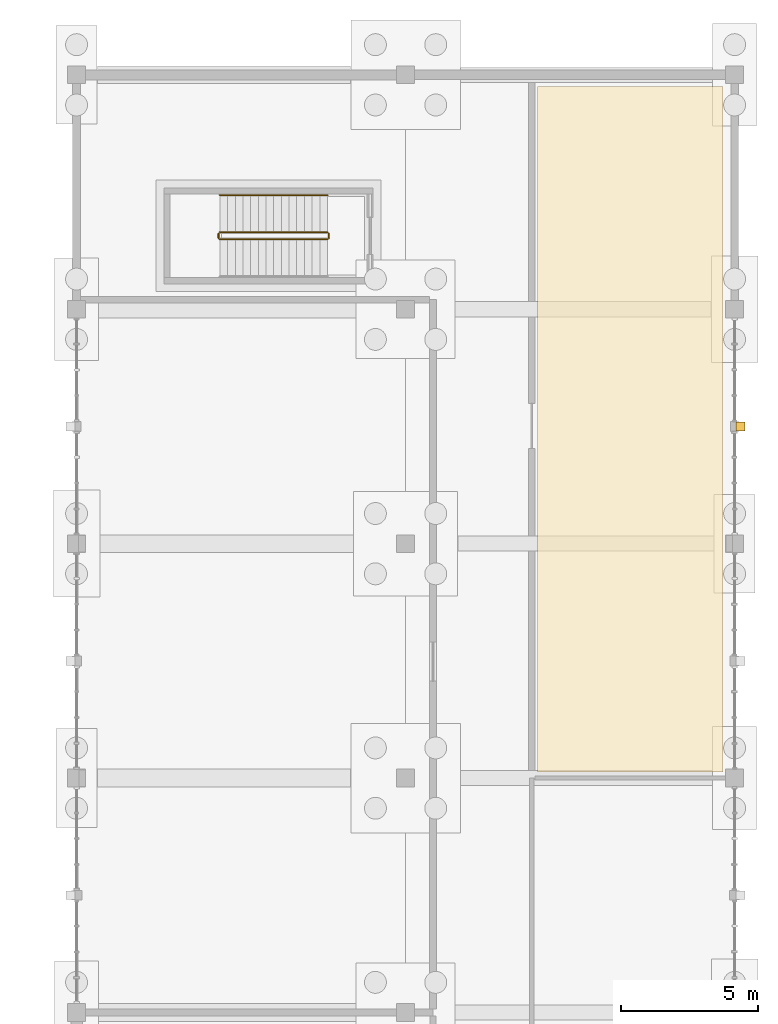
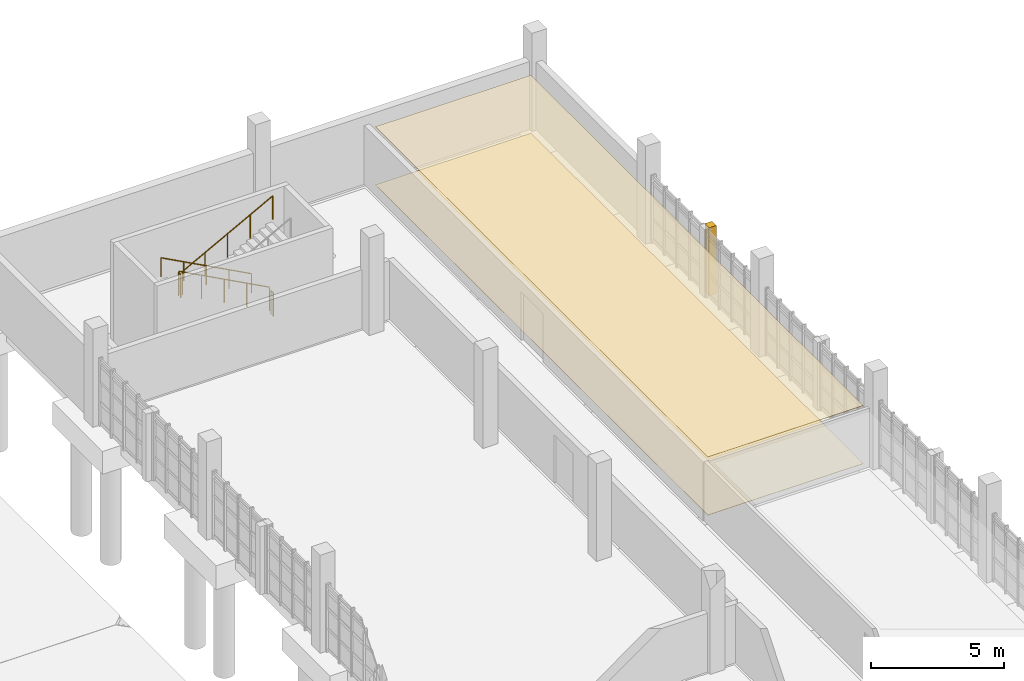
# One storey, part 124 of 125: 5 railings, 3 coverings.
"""IFC4 building model written with IfcOpenShell, lengths in metres."""

from ifc_helpers import new_model, si_unit, direction, frame, origin, origin_2d, place, context, subcontext, project, spatial, polyline, circle, outline, extrude, material, layer, layer_set, type_object, element, save


model = new_model("IFC4")

# Units and contexts
model_context = context("Model", 3, precision=1e-05, world=origin(), true_north=direction((0.0, 1.0)))
body_context = subcontext(model_context, "Body", "Model", "MODEL_VIEW")
ifc_project = project(units=[si_unit("LENGTHUNIT", "METRE"), si_unit("AREAUNIT", "SQUARE_METRE"), si_unit("VOLUMEUNIT", "CUBIC_METRE"), si_unit("PLANEANGLEUNIT", "RADIAN"), si_unit("MASSUNIT", "GRAM", prefix="KILO")], contexts=[model_context])

# Site, building, storey
site_placement = place(None, origin())
site = spatial("IfcSite", under=ifc_project, at=site_placement, CompositionType="ELEMENT")
building_placement = place(site_placement, origin())
building = spatial("IfcBuilding", under=site, at=building_placement, Name="Serraforn Aerial Cableway Station", CompositionType="ELEMENT")
storey_placement = place(building_placement, frame((0.0, 0.0, 4.5)))
storey = spatial("IfcBuildingStorey", under=building, at=storey_placement, Name="L01", CompositionType="ELEMENT", Elevation=4.5)

# Coverings
ifc_material_1 = material(Name="Fluted patinated bronze Art Deco pilaster cladding")
ifc_layer_1 = layer(ifc_material_1, 0.034912109375)
ifc_layer_set_1 = layer_set([ifc_layer_1], Name="Fluted patinated bronze Art Deco pilaster cladding")
covering_type_1 = type_object("IfcCoveringType", Name="COV-CLAD-BRZ", PredefinedType="CLADDING", material=ifc_layer_set_1)
covering_1_placement = place(storey_placement, origin())
element("IfcCovering", 1, at=covering_1_placement, inside=storey, type_object=covering_type_1, Name="Art Deco Bronze Pilaster Cladding EG-L01-E7", PredefinedType="CLADDING", context=body_context, shape_type="SweptSolid", body=[
    extrude(outline(polyline([(168.06005859375, 101.014892578125), (168.3798828125, 101.014892578125), (168.3798828125, 101.3349609375), (168.06005859375, 101.3349609375), (168.06005859375, 101.014892578125)])), origin(), (0.0, 0.0, 1.0), 3.1201171875),
])
ifc_material_2 = material(Name="Fire-protective gypsum board ceiling")
ifc_layer_2 = layer(ifc_material_2, 0.02001953125)
ifc_layer_set_2 = layer_set([ifc_layer_2], Name="Fire-protective gypsum board ceiling")
covering_type_2 = type_object("IfcCoveringType", Name="COV-CLG-GYP", PredefinedType="CEILING", material=ifc_layer_set_2)
covering_2_placement = place(storey_placement, frame((0.0, 0.0, 2.659912109375)))
element("IfcCovering", 2, at=covering_2_placement, inside=storey, type_object=covering_type_2, Name="Suspended Ceiling L01-18", PredefinedType="CEILING", context=body_context, shape_type="SweptSolid", body=[
    extrude(outline(polyline([(160.820068359375, 88.570068359375), (160.820068359375, 113.580078125), (167.580078125, 113.580078125), (167.580078125, 88.570068359375), (160.820068359375, 88.570068359375)])), origin(), (0.0, 0.0, 1.0), 0.02001953125),
])
ifc_material_3 = material(Name="Heavy-duty non-slip quartz epoxy floor")
ifc_layer_3 = layer(ifc_material_3, 0.014892578125)
ifc_layer_set_3 = layer_set([ifc_layer_3], Name="Heavy-duty non-slip quartz epoxy floor")
covering_type_3 = type_object("IfcCoveringType", Name="COV-FLR-EPOX", PredefinedType="FLOORING", material=ifc_layer_set_3)
covering_3_placement = place(storey_placement, origin())
element("IfcCovering", 3, at=covering_3_placement, inside=storey, type_object=covering_type_3, Name="Flooring L01-18", PredefinedType="FLOORING", context=body_context, shape_type="SweptSolid", body=[
    extrude(outline(polyline([(160.820068359375, 88.570068359375), (160.820068359375, 113.580078125), (167.580078125, 113.580078125), (167.580078125, 88.570068359375), (160.820068359375, 88.570068359375)])), origin(), (0.0, 0.0, 1.0), 0.014892578125),
])

# Railings
ifc_material_4 = material(Name="Patinated bronze stair guardrail")
ifc_layer_4 = layer(ifc_material_4, 0.050048828125)
ifc_layer_set_4 = layer_set([ifc_layer_4], Name="Patinated bronze stair guardrail")
railing_type_1 = type_object("IfcRailingType", Name="RL-STR-GRD", PredefinedType="GUARDRAIL", material=ifc_layer_set_4)
railing_1_placement = place(storey_placement, frame((153.14990234375, 108.260009765625, 0.14990234375)))
element("IfcRailing", 4, at=railing_1_placement, inside=storey, type_object=railing_type_1, Name="L01 ST-11 stair guard 1", PredefinedType="GUARDRAIL", context=body_context, shape_type="SweptSolid", body=[
    extrude(circle(Radius=0.02392578125, at=origin_2d()), frame((0.0, 0.0, 1.076171875), z_axis=(-0.881466911329, 0.0, 0.472245787945), x_axis=(0.0, -1.0, 0.0)), (0.0, 0.0, 1.0), 4.447021484375),
    extrude(circle(Radius=0.02099609375, at=origin_2d()), origin(), (0.0, 0.0, 1.0), 1.052001953125),
    extrude(circle(Radius=0.02099609375, at=origin_2d()), frame((-0.97998046875, 0.0, 0.52490234375)), (0.0, 0.0, 1.0), 1.052001953125),
    extrude(circle(Radius=0.02099609375, at=origin_2d()), frame((-1.9599609375, 0.0, 1.050048828125)), (0.0, 0.0, 1.0), 1.052001953125),
    extrude(circle(Radius=0.02099609375, at=origin_2d()), frame((-2.93994140625, 0.0, 1.5751953125)), (0.0, 0.0, 1.0), 1.052001953125),
    extrude(circle(Radius=0.02099609375, at=origin_2d()), frame((-3.919921875, 0.0, 2.10009765625)), (0.0, 0.0, 1.0), 1.052001953125),
])
railing_2_placement = place(storey_placement, frame((149.179931640625, 108.2099609375, 2.25)))
element("IfcRailing", 5, at=railing_2_placement, inside=storey, type_object=railing_type_1, Name="L01 ST-11 stair guard 2", PredefinedType="GUARDRAIL", context=body_context, shape_type="SweptSolid", body=[
    extrude(circle(Radius=0.02392578125, at=origin_2d()), frame((0.0, 0.0, 1.076171875), z_axis=(0.0, -1.0, 0.0), x_axis=(1.0, 0.0, 0.0)), (0.0, 0.0, 1.0), 0.159912109375),
    extrude(circle(Radius=0.02099609375, at=origin_2d()), origin(), (0.0, 0.0, 1.0), 1.052001953125),
    extrude(circle(Radius=0.02099609375, at=origin_2d()), frame((0.0, -0.159912109375, 0.0)), (0.0, 0.0, 1.0), 1.052001953125),
])
railing_3_placement = place(storey_placement, frame((149.22998046875, 108.0, 2.39990234375)))
element("IfcRailing", 6, at=railing_3_placement, inside=storey, type_object=railing_type_1, Name="L01 ST-11 stair guard 3", PredefinedType="GUARDRAIL", context=body_context, shape_type="SweptSolid", body=[
    extrude(circle(Radius=0.02392578125, at=origin_2d()), frame((0.0, 0.0, 1.076171875), z_axis=(0.881466911329, 0.0, 0.472245787945), x_axis=(0.0, 1.0, 0.0)), (0.0, 0.0, 1.0), 4.447021484375),
    extrude(circle(Radius=0.02099609375, at=origin_2d()), origin(), (0.0, 0.0, 1.0), 1.052001953125),
    extrude(circle(Radius=0.02099609375, at=origin_2d()), frame((0.97998046875, 0.0, 0.52490234375)), (0.0, 0.0, 1.0), 1.052001953125),
    extrude(circle(Radius=0.02099609375, at=origin_2d()), frame((1.9599609375, 0.0, 1.050048828125)), (0.0, 0.0, 1.0), 1.052001953125),
    extrude(circle(Radius=0.02099609375, at=origin_2d()), frame((2.93994140625, 0.0, 1.5751953125)), (0.0, 0.0, 1.0), 1.052001953125),
    extrude(circle(Radius=0.02099609375, at=origin_2d()), frame((3.919921875, 0.0, 2.10009765625)), (0.0, 0.0, 1.0), 1.052001953125),
])
railing_4_placement = place(storey_placement, frame((153.199951171875, 108.2099609375, 0.0)))
element("IfcRailing", 7, at=railing_4_placement, inside=storey, type_object=railing_type_1, Name="L01 ST-11 stair guard 4", PredefinedType="GUARDRAIL", context=body_context, shape_type="SweptSolid", body=[
    extrude(circle(Radius=0.02392578125, at=origin_2d()), frame((0.0, 0.0, 1.076171875), z_axis=(0.0, -1.0, 0.0), x_axis=(1.0, 0.0, 0.0)), (0.0, 0.0, 1.0), 0.159912109375),
    extrude(circle(Radius=0.02099609375, at=origin_2d()), origin(), (0.0, 0.0, 1.0), 1.052001953125),
    extrude(circle(Radius=0.02099609375, at=origin_2d()), frame((0.0, -0.159912109375, 0.0)), (0.0, 0.0, 1.0), 1.052001953125),
])
ifc_material_5 = material(Name="Brushed bronze tubular handrail")
ifc_layer_5 = layer(ifc_material_5, 0.048095703125)
ifc_layer_set_5 = layer_set([ifc_layer_5], Name="Brushed bronze tubular handrail")
railing_type_2 = type_object("IfcRailingType", Name="RL-STR-HDR", PredefinedType="HANDRAIL", material=ifc_layer_set_5)
railing_5_placement = place(storey_placement, frame((153.14990234375, 109.610107421875, 0.14990234375)))
element("IfcRailing", 8, at=railing_5_placement, inside=storey, type_object=railing_type_2, Name="L01 ST-11 stair handrail 1", PredefinedType="HANDRAIL", context=body_context, shape_type="SweptSolid", body=[
    extrude(circle(Radius=0.02392578125, at=origin_2d()), frame((0.0, 0.0, 0.8759765625), z_axis=(-0.881466911329, 0.0, 0.472245787945), x_axis=(0.0, -1.0, 0.0)), (0.0, 0.0, 1.0), 4.447021484375),
    extrude(circle(Radius=0.02099609375, at=origin_2d()), origin(), (0.0, 0.0, 1.0), 0.851806640625),
    extrude(circle(Radius=0.02099609375, at=origin_2d()), frame((-0.97998046875, 0.0, 0.52490234375)), (0.0, 0.0, 1.0), 0.851806640625),
    extrude(circle(Radius=0.02099609375, at=origin_2d()), frame((-1.9599609375, 0.0, 1.050048828125)), (0.0, 0.0, 1.0), 0.851806640625),
    extrude(circle(Radius=0.02099609375, at=origin_2d()), frame((-2.93994140625, 0.0, 1.5751953125)), (0.0, 0.0, 1.0), 0.851806640625),
    extrude(circle(Radius=0.02099609375, at=origin_2d()), frame((-3.919921875, 0.0, 2.10009765625)), (0.0, 0.0, 1.0), 0.851806640625),
])

save(model, "model.ifc")
